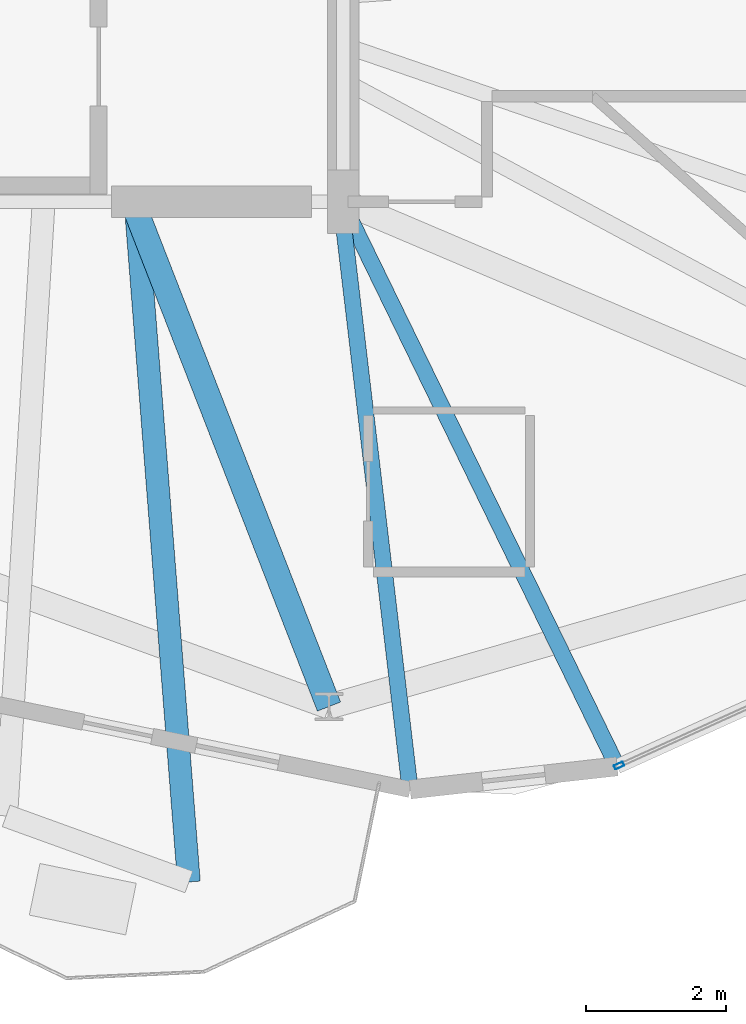
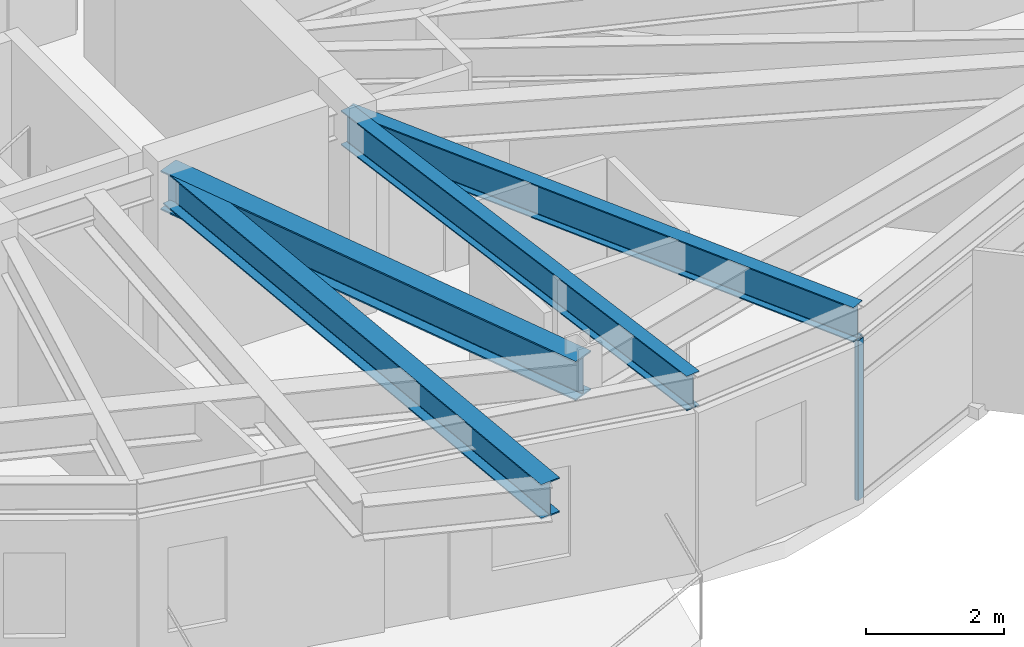
# One storey, part 5 of 23: 4 beams, 1 member, 1 element without a shape of its own.
"""IFC4 building model written with IfcOpenShell, lengths in metres."""

from ifc_helpers import new_model, si_unit, direction, frame, origin, origin_2d, place, context, subcontext, project, spatial, hollow_rectangle, i_section, extrude, material, layer, layer_set, material_profile, profile_set, type_object, element, aggregate, save


model = new_model("IFC4")

# Units and contexts
model_context = context("Model", 3, precision=1e-05, world=origin(), true_north=direction((0.0, 1.0)))
body_context = subcontext(model_context, "Body", "Model", "MODEL_VIEW")
ifc_project = project(units=[si_unit("LENGTHUNIT", "METRE"), si_unit("AREAUNIT", "SQUARE_METRE"), si_unit("VOLUMEUNIT", "CUBIC_METRE"), si_unit("PLANEANGLEUNIT", "RADIAN"), si_unit("MASSUNIT", "GRAM", prefix="KILO")], contexts=[model_context])

# Site, building, storey
site_placement = place(None, origin())
site = spatial("IfcSite", under=ifc_project, at=site_placement, CompositionType="ELEMENT")
building_placement = place(site_placement, origin())
building = spatial("IfcBuilding", under=site, at=building_placement, Name="Soratama Intermodal Tower", CompositionType="ELEMENT")
storey_placement = place(building_placement, frame((0.0, 0.0, 257.5)))
storey = spatial("IfcBuildingStorey", under=building, at=storey_placement, Name="L65", CompositionType="ELEMENT", Elevation=257.5)

# Beams
ifc_material_1 = material(Name="Structural steel ASTM A992 Grade 50", Category="steel")
ifc_material_profile_1 = material_profile(ifc_material_1, i_section(OverallWidth=0.324951171875, OverallDepth=0.615966796875, WebThickness=0.013916015625, FlangeThickness=0.021484375, FilletRadius=0.013916015625, at=origin_2d()), Name="W24X117")
ifc_profile_set_1 = profile_set([ifc_material_profile_1], Name="Structural steel ASTM A992 Grade 50")
beam_type_1 = type_object("IfcBeamType", Name="BM-CANT-W24X117", PredefinedType="BEAM", material=ifc_profile_set_1)
beam_1_placement = place(storey_placement, frame((41.64697265625, 14.9599609375, 3.14208984375), z_axis=(0.078346137804, -0.996926217275, 0.0), x_axis=(0.996926217275, 0.078346137804, 0.0)))
element("IfcBeam", 1, at=beam_1_placement, inside=storey, type_object=beam_type_1, Name="BM-L65-CANT-3-2", PredefinedType="BEAM", context=body_context, shape_type="SweptSolid", body=[
    extrude(i_section(OverallWidth=0.324951171875, OverallDepth=0.615966796875, WebThickness=0.013916015625, FlangeThickness=0.021484375, FilletRadius=0.013916015625, at=origin_2d()), origin(), (0.0, 0.0, 1.0), 9.67578125),
])
ifc_material_2 = material(Name="Structural steel ASTM A992 Grade 50", Category="steel")
ifc_material_profile_2 = material_profile(ifc_material_2, i_section(OverallWidth=0.35498046875, OverallDepth=0.695068359375, WebThickness=0.015380859375, FlangeThickness=0.02490234375, FilletRadius=0.01611328125, at=origin_2d()), Name="W27X146")
ifc_profile_set_2 = profile_set([ifc_material_profile_2], Name="Structural steel ASTM A992 Grade 50")
beam_type_2 = type_object("IfcBeamType", Name="BM-RING-W27X146", PredefinedType="BEAM", material=ifc_profile_set_2)
beam_2_placement = place(storey_placement, frame((41.60009765625, 15.0, 3.1025390625), z_axis=(0.362907405592, -0.931825206231, 0.0), x_axis=(0.931825206231, 0.362907405592, 0.0)))
element("IfcBeam", 2, at=beam_2_placement, inside=storey, type_object=beam_type_2, Name="BM-L65-RAD-08", PredefinedType="BEAM", context=body_context, shape_type="SweptSolid", body=[
    extrude(i_section(OverallWidth=0.35498046875, OverallDepth=0.695068359375, WebThickness=0.015380859375, FlangeThickness=0.02490234375, FilletRadius=0.01611328125, at=origin_2d()), origin(), (0.0, 0.0, 1.0), 7.71484375),
])
ifc_material_3 = material(Name="Structural steel ASTM A992 Grade 50", Category="steel")
ifc_material_profile_3 = material_profile(ifc_material_3, i_section(OverallWidth=0.22900390625, OverallDepth=0.612060546875, WebThickness=0.011962890625, FlangeThickness=0.01953125, FilletRadius=0.012939453125, at=origin_2d()), Name="W24X84")
ifc_profile_set_3 = profile_set([ifc_material_profile_3], Name="Structural steel ASTM A992 Grade 50")
beam_type_3 = type_object("IfcBeamType", Name="BM-TIE-W24X84", PredefinedType="BEAM", material=ifc_profile_set_3)
beam_3_placement = place(storey_placement, frame((44.572021484375, 14.9599609375, 3.14404296875), z_axis=(0.117182371672, -0.993110412678, 0.0), x_axis=(0.993110412678, 0.117182371672, 0.0)))
element("IfcBeam", 3, at=beam_3_placement, inside=storey, type_object=beam_type_3, Name="BM-L65-TIE1-06", PredefinedType="BEAM", context=body_context, shape_type="SweptSolid", body=[
    extrude(i_section(OverallWidth=0.22900390625, OverallDepth=0.612060546875, WebThickness=0.011962890625, FlangeThickness=0.01953125, FilletRadius=0.012939453125, at=origin_2d()), origin(), (0.0, 0.0, 1.0), 8.387939453125),
])
beam_4_placement = place(storey_placement, frame((44.60107421875, 14.964111328125, 3.14404296875), z_axis=(0.438143824053, -0.898904883424, 0.0), x_axis=(0.898904883424, 0.438143824053, 0.0)))
element("IfcBeam", 4, at=beam_4_placement, inside=storey, type_object=beam_type_3, Name="BM-L65-TIE0-07", PredefinedType="BEAM", context=body_context, shape_type="SweptSolid", body=[
    extrude(i_section(OverallWidth=0.22900390625, OverallDepth=0.612060546875, WebThickness=0.011962890625, FlangeThickness=0.01953125, FilletRadius=0.012939453125, at=origin_2d()), origin(), (0.0, 0.0, 1.0), 8.905517578125),
])

# Curtain wall, member
ifc_material_4 = material(Name="Double-glazed aluminium curtain wall", Category="aluminium")
ifc_layer = layer(ifc_material_4, 0.159912109375)
ifc_layer_set = layer_set([ifc_layer], Name="Double-glazed aluminium curtain wall")
curtain_wall_type = type_object("IfcCurtainWallType", Name="CW-SYS-5", PredefinedType="NOTDEFINED", material=ifc_layer_set)
curtain_wall_placement = place(storey_placement, origin())
curtain_wall = element("IfcCurtainWall", 5, at=curtain_wall_placement, inside=storey, type_object=curtain_wall_type, Name="L65 Faceted Curtain Wall F07", PredefinedType="NOTDEFINED")
ifc_material_5 = material(Name="Anodised aluminium AA 6063-T6", Category="aluminium")
ifc_material_profile_4 = material_profile(ifc_material_5, hollow_rectangle(XDim=0.06494140625, YDim=0.139892578125, WallThickness=0.0048828125, InnerFilletRadius=0.0048828125, OuterFilletRadius=0.010009765625, at=origin_2d()), Name="CWM140X65X5")
ifc_profile_set_4 = profile_set([ifc_material_profile_4], Name="Anodised aluminium AA 6063-T6")
member_type = type_object("IfcMemberType", Name="MT-CWM-5", PredefinedType="MULLION", material=ifc_profile_set_4)
member_placement = place(storey_placement, frame((48.530517578125, 6.971435546875, 0.0), z_axis=(0.0, 0.0, 1.0), x_axis=(-0.412467579868, 0.910972280346, 0.0)))
member = element("IfcMember", 6, at=member_placement, type_object=member_type, Name="CW-5 mullion 1", PredefinedType="MULLION", context=body_context, shape_type="SweptSolid", body=[
    extrude(hollow_rectangle(XDim=0.06494140625, YDim=0.139892578125, WallThickness=0.0048828125, InnerFilletRadius=0.0048828125, OuterFilletRadius=0.010009765625, at=origin_2d()), origin(), (0.0, 0.0, 1.0), 2.8291015625),
])
aggregate(curtain_wall, [member])

save(model, "model.ifc")
